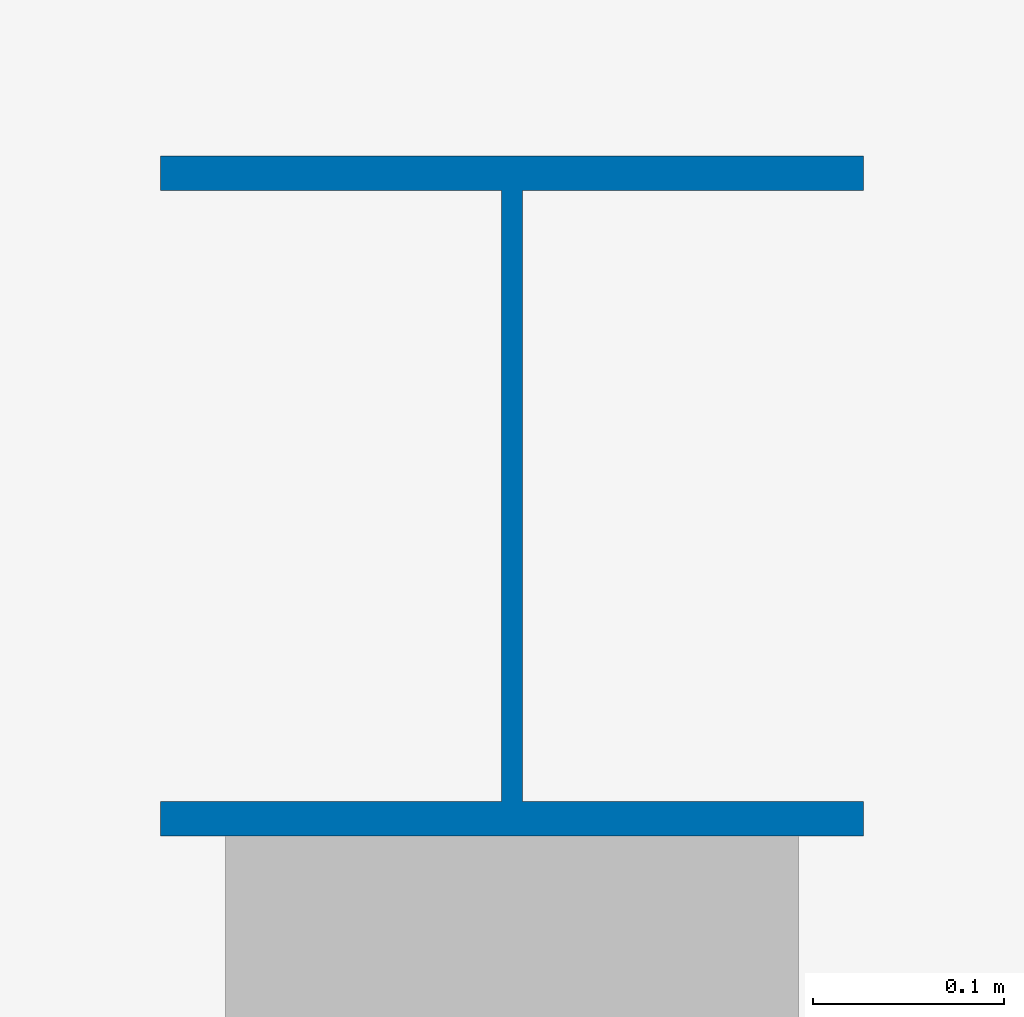
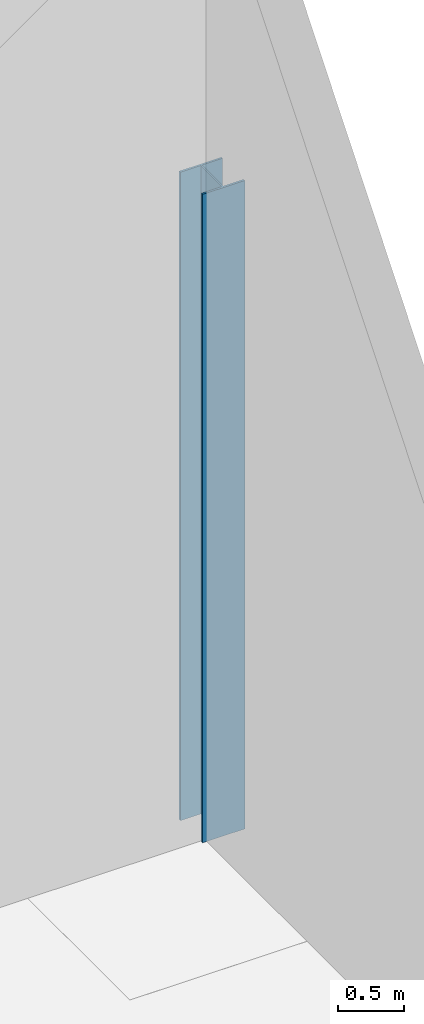
# One storey, part 36 of 131: 1 column.
"""IFC4 building model written with IfcOpenShell, lengths in metres."""

import ifcopenshell
import ifcopenshell.guid

model = None  # the IFC model being written
_history = None  # IfcOwnerHistory: only IFC2X3 demands one
_inside = {}  # id of a spatial element -> (the spatial element, [elements in it])
_under = {}  # id of a project, library or spatial element -> (it, [spatial elements below it])
_declared = {}  # id of a project -> (the project, [libraries it declares])
_typed = {}  # id of a type object -> (the type object, [elements of that type])
_made_of = {}  # id of a material, layer set ... -> (it, [elements and type objects made of it])


def new_model(schema):
    """Start an empty IFC model of exactly this schema.

    Asked for "IFC4X3", IfcOpenShell would pick the latest addendum, in which some entities
    have other attributes; the version numbers below select the first issue.
    IFC2X3 requires an IfcOwnerHistory on every rooted entity: one is made here for all.
    """
    global model, _history
    if schema == "IFC4X3":
        model = ifcopenshell.file(schema_version=(4, 3, 0, 0))
    else:
        model = ifcopenshell.file(schema=schema)
    _inside.clear()
    _under.clear()
    _declared.clear()
    _typed.clear()
    _made_of.clear()
    _history = None
    if model.schema == "IFC2X3":
        org = make("IfcOrganization", Name="unknown")
        user = make(
            "IfcPersonAndOrganization",
            ThePerson=make("IfcPerson", FamilyName="unknown"),
            TheOrganization=org,
        )
        app = make(
            "IfcApplication",
            ApplicationDeveloper=org,
            Version="unknown",
            ApplicationFullName="unknown",
            ApplicationIdentifier="unknown",
        )
        _history = make(
            "IfcOwnerHistory",
            OwningUser=user,
            OwningApplication=app,
            ChangeAction="ADDED",
            CreationDate=0,
        )
    return model


def make(cls, **values):
    """One entity of the class cls with the attributes given. An attribute that is None is left unset."""
    return model.create_entity(
        cls, **{name: value for name, value in values.items() if value is not None}
    )


def rooted(cls, **values):
    """An entity with a GlobalId (a new one), such as an element, a storey or a relation."""
    return make(cls, GlobalId=ifcopenshell.guid.new(), OwnerHistory=_history, **values)


def si_unit(unit_type, name, prefix=None):
    """IfcSIUnit, for example si_unit("LENGTHUNIT", "METRE", prefix="MILLI")."""
    return make("IfcSIUnit", UnitType=unit_type, Prefix=prefix, Name=name)


def assignment(units):
    """IfcUnitAssignment: the units of a project."""
    return None if units is None else make("IfcUnitAssignment", Units=units)


def point(xyz):
    """IfcCartesianPoint."""
    return None if xyz is None else make("IfcCartesianPoint", Coordinates=xyz)


def direction(xyz):
    """IfcDirection."""
    return None if xyz is None else make("IfcDirection", DirectionRatios=xyz)


def frame(location, z_axis=None, x_axis=None):
    """IfcAxis2Placement3D, a coordinate frame: its origin and axes. An axis left out is left unset."""
    return make(
        "IfcAxis2Placement3D",
        Location=point(location),
        Axis=direction(z_axis),
        RefDirection=direction(x_axis),
    )


def frame_2d(location, x_axis=None):
    """IfcAxis2Placement2D, a coordinate frame in the plane: its origin and x axis."""
    return make(
        "IfcAxis2Placement2D", Location=point(location), RefDirection=direction(x_axis)
    )


def origin():
    """The frame at (0, 0, 0) with its axes left unset."""
    return frame((0.0, 0.0, 0.0))


def origin_2d():
    """The frame at (0, 0) in the plane with its x axis left unset."""
    return frame_2d((0.0, 0.0))


def place(relative_to, where):
    """IfcLocalPlacement: puts the frame where relative to a parent placement (None: the world)."""
    return make(
        "IfcLocalPlacement", PlacementRelTo=relative_to, RelativePlacement=where
    )


def context(
    kind, dimensions, precision=None, world=None, true_north=None, identifier=None
):
    """IfcGeometricRepresentationContext, for example the 3D "Model" context."""
    return make(
        "IfcGeometricRepresentationContext",
        ContextIdentifier=identifier,
        ContextType=kind,
        CoordinateSpaceDimension=dimensions,
        Precision=precision,
        WorldCoordinateSystem=world,
        TrueNorth=true_north,
    )


def subcontext(parent, identifier, kind, view, scale=None):
    """IfcGeometricRepresentationSubContext, for example "Body" below "Model"."""
    return make(
        "IfcGeometricRepresentationSubContext",
        ContextIdentifier=identifier,
        ContextType=kind,
        ParentContext=parent,
        TargetScale=scale,
        TargetView=view,
    )


def project(units=None, contexts=None):
    """IfcProject with its units and contexts."""
    return rooted(
        "IfcProject",
        Name="project",
        RepresentationContexts=contexts,
        UnitsInContext=assignment(units),
    )


def spatial(cls, under=None, at=None, **own):
    """A site, building, storey or space (cls), placed at a placement, below another one or the project."""
    s = rooted(cls, ObjectPlacement=at, **own)
    if under is not None:
        _under.setdefault(under.id(), (under, []))[1].append(s)
    return s


def profile(cls, at=None, kind="AREA", **sizes):
    """A parametric profile (cls). Its sizes go by their IFC names, for example OverallWidth=200.0."""
    return make(cls, ProfileType=kind, Position=at, **sizes)


def i_section(**sizes):
    """IfcIShapeProfileDef."""
    return profile("IfcIShapeProfileDef", **sizes)


def extrude(swept, where, along, depth):
    """IfcExtrudedAreaSolid: the profile swept, set in the frame where, extruded along a direction by depth."""
    return make(
        "IfcExtrudedAreaSolid",
        SweptArea=swept,
        Position=where,
        ExtrudedDirection=direction(along),
        Depth=depth,
    )


def shape(context_of_items, identifier, shape_type, items):
    """IfcShapeRepresentation: the items that make up one representation, for example the "Body"."""
    return make(
        "IfcShapeRepresentation",
        ContextOfItems=context_of_items,
        RepresentationIdentifier=identifier,
        RepresentationType=shape_type,
        Items=items,
    )


def material(Name=None, Category=None):
    """IfcMaterial."""
    return make("IfcMaterial", Name=Name, Category=Category)


def material_profile(
    of_material, cross_section, Name=None, Category=None, Priority=None
):
    """IfcMaterialProfile: a cross section and its material."""
    return make(
        "IfcMaterialProfile",
        Name=Name,
        Material=of_material,
        Profile=cross_section,
        Priority=Priority,
        Category=Category,
    )


def profile_set(profiles, Name=None, composite=None):
    """IfcMaterialProfileSet."""
    return make(
        "IfcMaterialProfileSet",
        Name=Name,
        MaterialProfiles=profiles,
        CompositeProfile=composite,
    )


def made_of(thing, what):
    """Note that an element or type object is made of a material, layer set ...; save() writes the relation."""
    if what is not None:
        _made_of.setdefault(what.id(), (what, []))[1].append(thing)
    return thing


def type_object(cls, material=None, **own):
    """A type object (cls), such as IfcWallType, which elements share."""
    return made_of(rooted(cls, **own), material)


def element(
    cls,
    number,
    at=None,
    inside=None,
    cuts=None,
    type_object=None,
    material=None,
    context=None,
    identifier="Body",
    shape_type=None,
    held_by="IfcProductDefinitionShape",
    body=None,
    shapes=None,
    **own,
):
    """One element of the class cls, such as IfcWall. Its Tag is "e" and its number.

    at: its placement. inside: the storey or other place that contains it. cuts: it is an
    opening in that element (IfcRelVoidsElement). A single representation is given by context,
    identifier, shape_type and body (its items); several are given by shapes. held_by: the class
    of the entity that holds the representations. save() writes the other relations.
    """
    e = rooted(cls, Tag="e%d" % number, ObjectPlacement=at, **own)
    if body is not None:
        shapes = [shape(context, identifier, shape_type, body)]
    if shapes is not None:
        e.Representation = make(held_by, Representations=shapes)
    if inside is not None:
        _inside.setdefault(inside.id(), (inside, []))[1].append(e)
    if cuts is not None:
        rooted(
            "IfcRelVoidsElement", RelatingBuildingElement=cuts, RelatedOpeningElement=e
        )
    if type_object is not None:
        _typed.setdefault(type_object.id(), (type_object, []))[1].append(e)
    return made_of(e, material)


def aggregate(whole, parts):
    """IfcRelAggregates: a whole, such as a stair, and the parts it consists of."""
    return rooted("IfcRelAggregates", RelatingObject=whole, RelatedObjects=parts)


def save(model, path):
    """Write the relations noted so far, then the file.

    IfcRelAggregates (storeys below a building ...), IfcRelContainedInSpatialStructure (elements
    in a storey), IfcRelDefinesByType, IfcRelAssociatesMaterial and IfcRelDeclares: one each for
    every whole, place, type object, material and project.
    """
    for whole, parts in _under.values():
        aggregate(whole, parts)
    for where, things in _inside.values():
        rooted(
            "IfcRelContainedInSpatialStructure",
            RelatedElements=things,
            RelatingStructure=where,
        )
    for kind, things in _typed.values():
        rooted("IfcRelDefinesByType", RelatedObjects=things, RelatingType=kind)
    for what, things in _made_of.values():
        rooted("IfcRelAssociatesMaterial", RelatedObjects=things, RelatingMaterial=what)
    for by, libraries in _declared.values():
        rooted("IfcRelDeclares", RelatingContext=by, RelatedDefinitions=libraries)
    model.write(path)


model = new_model("IFC4")

# Units and contexts
model_context = context("Model", 3, precision=1e-05, world=origin(), true_north=direction((0.0, 1.0)))
body_context = subcontext(model_context, "Body", "Model", "MODEL_VIEW")
ifc_project = project(units=[si_unit("LENGTHUNIT", "METRE"), si_unit("AREAUNIT", "SQUARE_METRE"), si_unit("VOLUMEUNIT", "CUBIC_METRE"), si_unit("PLANEANGLEUNIT", "RADIAN"), si_unit("MASSUNIT", "GRAM", prefix="KILO")], contexts=[model_context])

# Site, building, storey
site_placement = place(None, origin())
site = spatial("IfcSite", under=ifc_project, at=site_placement, CompositionType="ELEMENT")
building_placement = place(site_placement, origin())
building = spatial("IfcBuilding", under=site, at=building_placement, Name="Cazmaro Siding Exhibition Halls", CompositionType="ELEMENT")
storey_placement = place(building_placement, origin())
storey = spatial("IfcBuildingStorey", under=building, at=storey_placement, Name="L00", CompositionType="ELEMENT", Elevation=0.0)

# Column
ifc_material = material(Name="Steel ASTM A992 Grade 50", Category="steel")
ifc_material_profile = material_profile(ifc_material, i_section(OverallWidth=0.367919921875, OverallDepth=0.35595703125, WebThickness=0.010986328125, FlangeThickness=0.01806640625, at=origin_2d()), Name="W14X90")
ifc_profile_set = profile_set([ifc_material_profile], Name="Steel ASTM A992 Grade 50")
column_type = type_object("IfcColumnType", Name="C-05", PredefinedType="COLUMN", material=ifc_profile_set)
column_placement = place(storey_placement, frame((216.0, 118.0, 0.0), z_axis=(0.0, 0.0, 1.0), x_axis=(1.0, 0.0, 0.0)))
element("IfcColumn", 1, at=column_placement, inside=storey, type_object=column_type, Name="Column C-05 COL-0703", PredefinedType="COLUMN", context=body_context, shape_type="SweptSolid", body=[
    extrude(i_section(OverallWidth=0.367919921875, OverallDepth=0.35595703125, WebThickness=0.010986328125, FlangeThickness=0.01806640625, at=origin_2d()), origin(), (0.0, 0.0, 1.0), 6.0),
])

save(model, "model.ifc")
